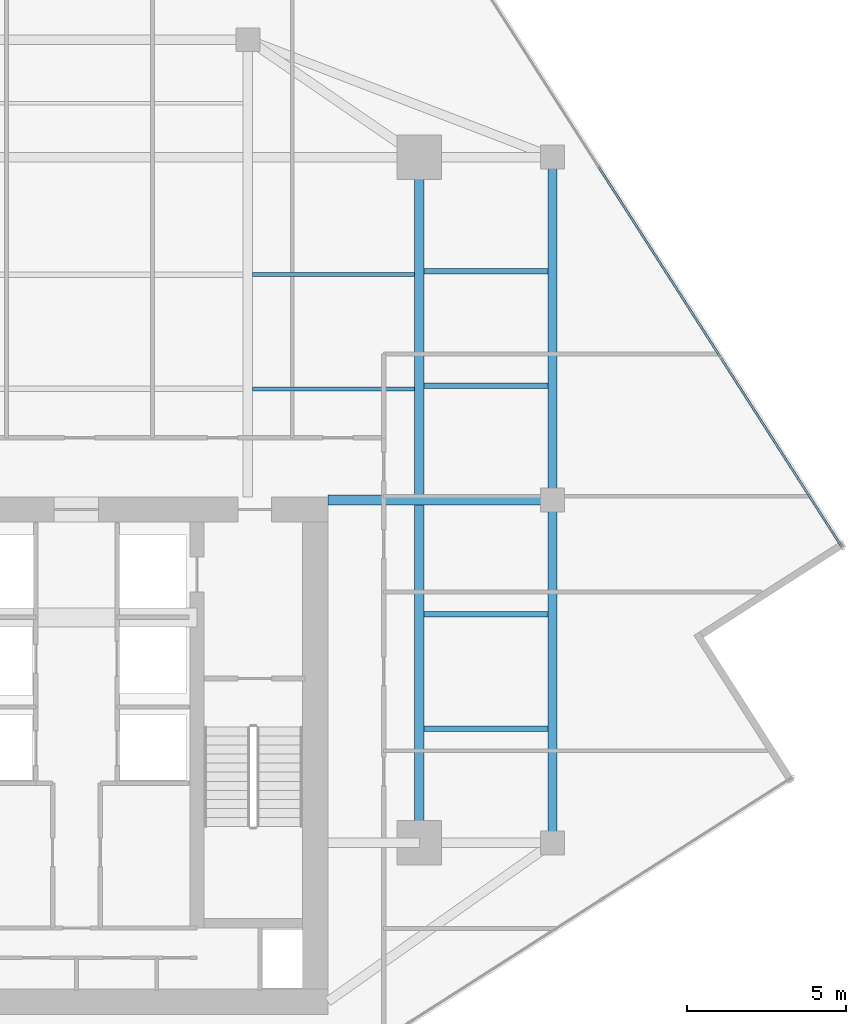
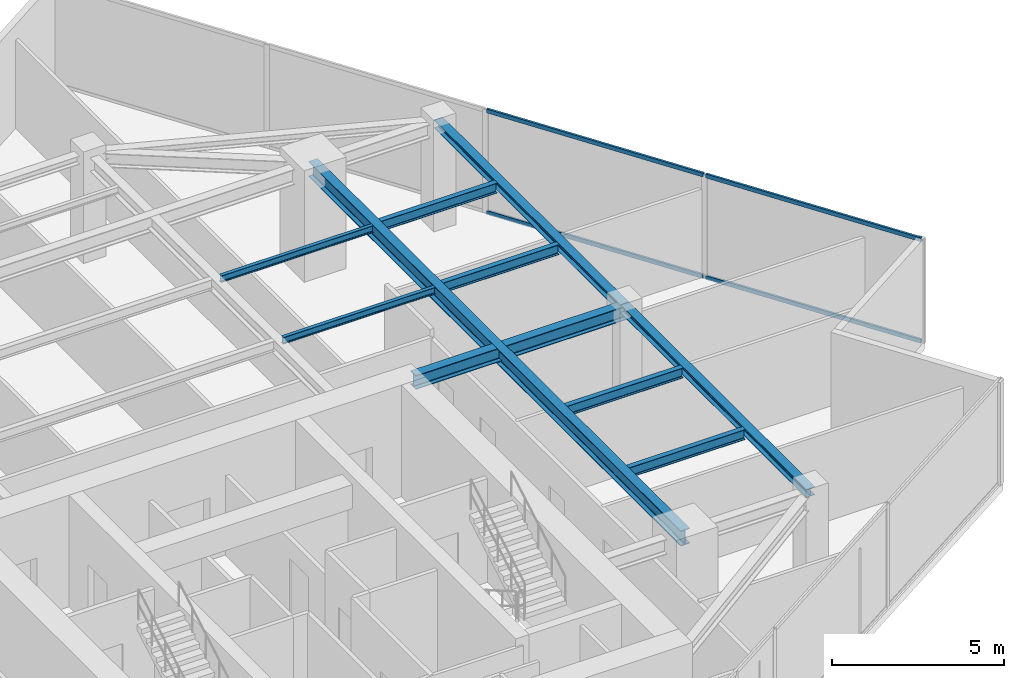
# One storey, part 9 of 20: 10 beams, 4 members, 1 element without a shape of its own.
"""IFC4 building model written with IfcOpenShell, lengths in metres."""

from ifc_helpers import new_model, si_unit, direction, frame, origin, origin_2d, place, context, subcontext, project, spatial, hollow_rectangle, i_section, extrude, source, transform, mapped, material, material_profile, profile_set, type_object, type_shapes, element, aggregate, save


model = new_model("IFC4")

# Units and contexts
model_context = context("Model", 3, precision=1e-05, world=origin(), true_north=direction((0.0, 1.0)))
body_context = subcontext(model_context, "Body", "Model", "MODEL_VIEW")
ifc_project = project(units=[si_unit("LENGTHUNIT", "METRE"), si_unit("AREAUNIT", "SQUARE_METRE"), si_unit("VOLUMEUNIT", "CUBIC_METRE"), si_unit("PLANEANGLEUNIT", "RADIAN"), si_unit("MASSUNIT", "GRAM", prefix="KILO")], contexts=[model_context])

# Site, building, storey
site_placement = place(None, origin())
site = spatial("IfcSite", under=ifc_project, at=site_placement, CompositionType="ELEMENT")
building_placement = place(site_placement, origin())
building = spatial("IfcBuilding", under=site, at=building_placement, Name="Krantzveldt Concourse Tower", CompositionType="ELEMENT")
storey_placement = place(building_placement, frame((0.0, 0.0, 283.199951171875)))
storey = spatial("IfcBuildingStorey", under=building, at=storey_placement, Name="L69", CompositionType="ELEMENT", Elevation=283.199951171875)

# Beams
ifc_material_1 = material(Name="Steel S355JR", Category="steel")
ifc_material_profile_1 = material_profile(ifc_material_1, i_section(OverallWidth=0.300048828125, OverallDepth=0.489990234375, WebThickness=0.011962890625, FlangeThickness=0.02294921875, FilletRadius=0.027099609375, at=origin_2d()), Name="Steel S355JR", Category="steel")
ifc_profile_set_1 = profile_set([ifc_material_profile_1], Name="Steel S355JR - HEA 500")
beam_type_1 = type_object("IfcBeamType", Name="BM-B-HEA500", PredefinedType="BEAM", material=ifc_profile_set_1)
shared_shape_1 = source(origin(), body_context, "Body", "SweptSolid", [
    extrude(i_section(OverallWidth=0.300048828125, OverallDepth=0.489990234375, WebThickness=0.011962890625, FlangeThickness=0.02294921875, FilletRadius=0.027099609375, at=origin_2d()), origin(), (0.0, 0.0, 1.0), 7.080078125),
])
type_shapes(beam_type_1, [shared_shape_1])
beam_1_placement = place(storey_placement, frame((43.919921875, 26.699951171875, 3.425048828125), z_axis=(1.0, 0.0, 0.0), x_axis=(0.0, 1.0, 0.0)))
element("IfcBeam", 1, at=beam_1_placement, inside=storey, type_object=beam_type_1, Name="L69 Tower Girder BG-CE2", PredefinedType="BEAM", context=body_context, shape_type="MappedRepresentation", body=[
    mapped(shared_shape_1, transform((0.0, 0.0, 0.0), x_axis=(1.0, 0.0, 0.0), y_axis=(0.0, 1.0, 0.0), z_axis=(0.0, 0.0, 1.0), scale=1.0)),
])
ifc_material_profile_2 = material_profile(ifc_material_1, i_section(OverallWidth=0.300048828125, OverallDepth=0.5400390625, WebThickness=0.012451171875, FlangeThickness=0.02392578125, FilletRadius=0.027099609375, at=origin_2d()), Name="Steel S355JR", Category="steel")
ifc_profile_set_2 = profile_set([ifc_material_profile_2], Name="Steel S355JR - HEA 550")
beam_type_2 = type_object("IfcBeamType", Name="BM-B-HEA550", PredefinedType="BEAM", material=ifc_profile_set_2)
shared_shape_2 = source(origin(), body_context, "Body", "SweptSolid", [
    extrude(i_section(OverallWidth=0.300048828125, OverallDepth=0.5400390625, WebThickness=0.012451171875, FlangeThickness=0.02392578125, FilletRadius=0.027099609375, at=origin_2d()), origin(), (0.0, 0.0, 1.0), 21.60009765625),
])
type_shapes(beam_type_2, [shared_shape_2])
beam_2_placement = place(storey_placement, frame((46.800048828125, 15.89990234375, 3.400146484375), z_axis=(0.0, 1.0, 0.0), x_axis=(-1.0, 0.0, 0.0)))
element("IfcBeam", 2, at=beam_2_placement, inside=storey, type_object=beam_type_2, Name="L69 Tower Girder BG-ME", PredefinedType="BEAM", context=body_context, shape_type="MappedRepresentation", body=[
    mapped(shared_shape_2, transform((0.0, 0.0, 0.0), x_axis=(1.0, 0.0, 0.0), y_axis=(0.0, 1.0, 0.0), z_axis=(0.0, 0.0, 1.0), scale=1.0)),
])
ifc_material_profile_3 = material_profile(ifc_material_1, i_section(OverallWidth=0.2900390625, OverallDepth=0.2900390625, WebThickness=0.008544921875, FlangeThickness=0.013916015625, FilletRadius=0.027099609375, at=origin_2d()), Name="Steel S355JR", Category="steel")
ifc_profile_set_3 = profile_set([ifc_material_profile_3], Name="Steel S355JR - HEA 300")
beam_type_3 = type_object("IfcBeamType", Name="BM-SP-HEA300", PredefinedType="SPANDREL", material=ifc_profile_set_3)
shared_shape_3 = source(origin(), body_context, "Body", "SweptSolid", [
    extrude(i_section(OverallWidth=0.2900390625, OverallDepth=0.2900390625, WebThickness=0.008544921875, FlangeThickness=0.013916015625, FilletRadius=0.027099609375, at=origin_2d()), origin(), (0.0, 0.0, 1.0), 10.800048828125),
])
type_shapes(beam_type_3, [shared_shape_3])
for number, where, z_axis, x_axis, name in (
    (3, (51.0, 37.5, 3.525146484375), (0.0, -1.0, 0.0), (1.0, 0.0, 0.0), "L69 Tower Girder SP-R06"),
    (4, (51.0, 26.699951171875, 3.525146484375), (0.0, -1.0, 0.0), (1.0, 0.0, 0.0), "L69 Tower Girder SP-R07"),
):
    element("IfcBeam", number, at=place(storey_placement, frame(where, z_axis=z_axis, x_axis=x_axis)), inside=storey, type_object=beam_type_3, Name=name, PredefinedType="SPANDREL", context=body_context, shape_type="MappedRepresentation", body=[
        mapped(shared_shape_3, transform((0.0, 0.0, 0.0), x_axis=(1.0, 0.0, 0.0), y_axis=(0.0, 1.0, 0.0), z_axis=(0.0, 0.0, 1.0), scale=1.0)),
    ])
ifc_material_profile_4 = material_profile(ifc_material_1, i_section(OverallWidth=0.1201171875, OverallDepth=0.239990234375, WebThickness=0.006103515625, FlangeThickness=0.009765625, FilletRadius=0.014892578125, at=origin_2d()), Name="Steel S355JR", Category="steel")
ifc_profile_set_4 = profile_set([ifc_material_profile_4], Name="Steel S355JR - IPE 240")
beam_type_4 = type_object("IfcBeamType", Name="BM-LN-IPE240", PredefinedType="LINTEL", material=ifc_profile_set_4)
shared_shape_4 = source(origin(), body_context, "Body", "SweptSolid", [
    extrude(i_section(OverallWidth=0.1201171875, OverallDepth=0.239990234375, WebThickness=0.006103515625, FlangeThickness=0.009765625, FilletRadius=0.014892578125, at=origin_2d()), origin(), (0.0, 0.0, 1.0), 5.099853515625),
])
type_shapes(beam_type_4, [shared_shape_4])
for number, where, z_axis, x_axis, name in (
    (5, (41.550048828125, 30.199951171875, 3.550048828125), (1.0, 0.0, 0.0), (0.0, 1.0, 0.0), "L69 Secondary Floor Joist JN-E1"),
    (6, (41.550048828125, 33.800048828125, 3.550048828125), (1.0, 0.0, 0.0), (0.0, 1.0, 0.0), "L69 Secondary Floor Joist JN-E2"),
):
    element("IfcBeam", number, at=place(storey_placement, frame(where, z_axis=z_axis, x_axis=x_axis)), inside=storey, type_object=beam_type_4, Name=name, PredefinedType="LINTEL", context=body_context, shape_type="MappedRepresentation", body=[
        mapped(shared_shape_4, transform((0.0, 0.0, 0.0), x_axis=(1.0, 0.0, 0.0), y_axis=(0.0, 1.0, 0.0), z_axis=(0.0, 0.0, 1.0), scale=1.0)),
    ])
ifc_material_profile_5 = material_profile(ifc_material_1, i_section(OverallWidth=0.169921875, OverallDepth=0.360107421875, WebThickness=0.008056640625, FlangeThickness=0.0126953125, FilletRadius=0.01806640625, at=origin_2d()), Name="Steel S355JR", Category="steel")
ifc_profile_set_5 = profile_set([ifc_material_profile_5], Name="Steel S355JR - IPE 360")
beam_type_5 = type_object("IfcBeamType", Name="BM-J-IPE360", PredefinedType="JOIST", material=ifc_profile_set_5)
shared_shape_5 = source(origin(), body_context, "Body", "SweptSolid", [
    extrude(i_section(OverallWidth=0.169921875, OverallDepth=0.360107421875, WebThickness=0.008056640625, FlangeThickness=0.0126953125, FilletRadius=0.01806640625, at=origin_2d()), origin(), (0.0, 0.0, 1.0), 3.900146484375),
])
type_shapes(beam_type_5, [shared_shape_5])
for number, where, z_axis, x_axis, name in (
    (7, (46.949951171875, 19.5, 3.489990234375), (1.0, 0.0, 0.0), (0.0, 1.0, 0.0), "L69 Secondary Floor Joist JE-1"),
    (8, (46.949951171875, 23.10009765625, 3.489990234375), (1.0, 0.0, 0.0), (0.0, 1.0, 0.0), "L69 Secondary Floor Joist JE-2"),
    (9, (46.949951171875, 30.300048828125, 3.489990234375), (1.0, 0.0, 0.0), (0.0, 1.0, 0.0), "L69 Secondary Floor Joist JE-3"),
    (10, (46.949951171875, 33.89990234375, 3.489990234375), (1.0, 0.0, 0.0), (0.0, 1.0, 0.0), "L69 Secondary Floor Joist JE-4"),
):
    element("IfcBeam", number, at=place(storey_placement, frame(where, z_axis=z_axis, x_axis=x_axis)), inside=storey, type_object=beam_type_5, Name=name, PredefinedType="JOIST", context=body_context, shape_type="MappedRepresentation", body=[
        mapped(shared_shape_5, transform((0.0, 0.0, 0.0), x_axis=(1.0, 0.0, 0.0), y_axis=(0.0, 1.0, 0.0), z_axis=(0.0, 0.0, 1.0), scale=1.0)),
    ])

# Curtain wall, members
ifc_material_2 = material(Name="Anodised aluminium 6063-T6", Category="aluminium")
curtain_wall_type = type_object("IfcCurtainWallType", Name="CW4", PredefinedType="USERDEFINED", material=ifc_material_2)
curtain_wall_placement = place(storey_placement, origin())
curtain_wall = element("IfcCurtainWall", 11, at=curtain_wall_placement, inside=storey, type_object=curtain_wall_type, Name="CW-L69-F10", ObjectType="UNITISED CURTAIN WALL", PredefinedType="USERDEFINED")
ifc_material_profile_6 = material_profile(ifc_material_2, hollow_rectangle(XDim=0.070068359375, YDim=0.139892578125, WallThickness=0.0048828125, at=origin_2d()), Name="Anodised aluminium 6063-T6", Category="aluminium")
ifc_profile_set_6 = profile_set([ifc_material_profile_6], Name="Anodised aluminium 6063-T6 - ALU-TRAN 140x70x5")
member_type = type_object("IfcMemberType", Name="CW-TRN-150", PredefinedType="USERDEFINED", material=ifc_profile_set_6)
shared_shape_6 = source(origin(), body_context, "Body", "SweptSolid", [
    extrude(hollow_rectangle(XDim=0.070068359375, YDim=0.139892578125, WallThickness=0.0048828125, at=origin_2d()), origin(), (0.0, 0.0, 1.0), 7.044921875),
])
member_1_placement = place(storey_placement, frame((60.103515625, 25.23388671875, 0.03515625), z_axis=(-0.539129416232, 0.842222935186, 0.0), x_axis=(-0.842222935186, -0.539129416232, 0.0)))
member_1 = element("IfcMember", 12, at=member_1_placement, type_object=member_type, Name="CW-Z56 transom 1.1", ObjectType="TRANSOM", PredefinedType="USERDEFINED", context=body_context, shape_type="MappedRepresentation", body=[
    mapped(shared_shape_6, transform((0.0, 0.0, 0.0), x_axis=(1.0, 0.0, 0.0), y_axis=(0.0, 1.0, 0.0), z_axis=(0.0, 0.0, 1.0), scale=1.0)),
])
member_2_placement = place(storey_placement, frame((60.103515625, 25.23388671875, 3.635009765625), z_axis=(-0.539129416232, 0.842222935186, 0.0), x_axis=(-0.842222935186, -0.539129416232, 0.0)))
member_2 = element("IfcMember", 13, at=member_2_placement, type_object=member_type, Name="CW-Z56 transom 1.2", ObjectType="TRANSOM", PredefinedType="USERDEFINED", context=body_context, shape_type="MappedRepresentation", body=[
    mapped(shared_shape_6, transform((0.0, 0.0, 0.0), x_axis=(1.0, 0.0, 0.0), y_axis=(0.0, 1.0, 0.0), z_axis=(0.0, 0.0, 1.0), scale=1.0)),
])
shared_shape_7 = source(origin(), body_context, "Body", "SweptSolid", [
    extrude(hollow_rectangle(XDim=0.070068359375, YDim=0.139892578125, WallThickness=0.0048828125, at=origin_2d()), origin(), (0.0, 0.0, 1.0), 7.080078125),
])
type_shapes(member_type, [shared_shape_6, shared_shape_7])
member_3_placement = place(storey_placement, frame((56.267578125, 31.226318359375, 0.03515625), z_axis=(-0.539142738786, 0.842214406915, 0.0), x_axis=(-0.842214406915, -0.539142738786, 0.0)))
member_3 = element("IfcMember", 14, at=member_3_placement, type_object=member_type, Name="CW-Z56 transom 2.1", ObjectType="TRANSOM", PredefinedType="USERDEFINED", context=body_context, shape_type="MappedRepresentation", body=[
    mapped(shared_shape_7, transform((0.0, 0.0, 0.0), x_axis=(1.0, 0.0, 0.0), y_axis=(0.0, 1.0, 0.0), z_axis=(0.0, 0.0, 1.0), scale=1.0)),
])
member_4_placement = place(storey_placement, frame((56.267578125, 31.226318359375, 3.635009765625), z_axis=(-0.539142738786, 0.842214406915, 0.0), x_axis=(-0.842214406915, -0.539142738786, 0.0)))
member_4 = element("IfcMember", 15, at=member_4_placement, type_object=member_type, Name="CW-Z56 transom 2.2", ObjectType="TRANSOM", PredefinedType="USERDEFINED", context=body_context, shape_type="MappedRepresentation", body=[
    mapped(shared_shape_7, transform((0.0, 0.0, 0.0), x_axis=(1.0, 0.0, 0.0), y_axis=(0.0, 1.0, 0.0), z_axis=(0.0, 0.0, 1.0), scale=1.0)),
])
aggregate(curtain_wall, [member_1, member_2, member_3, member_4])

save(model, "model.ifc")
